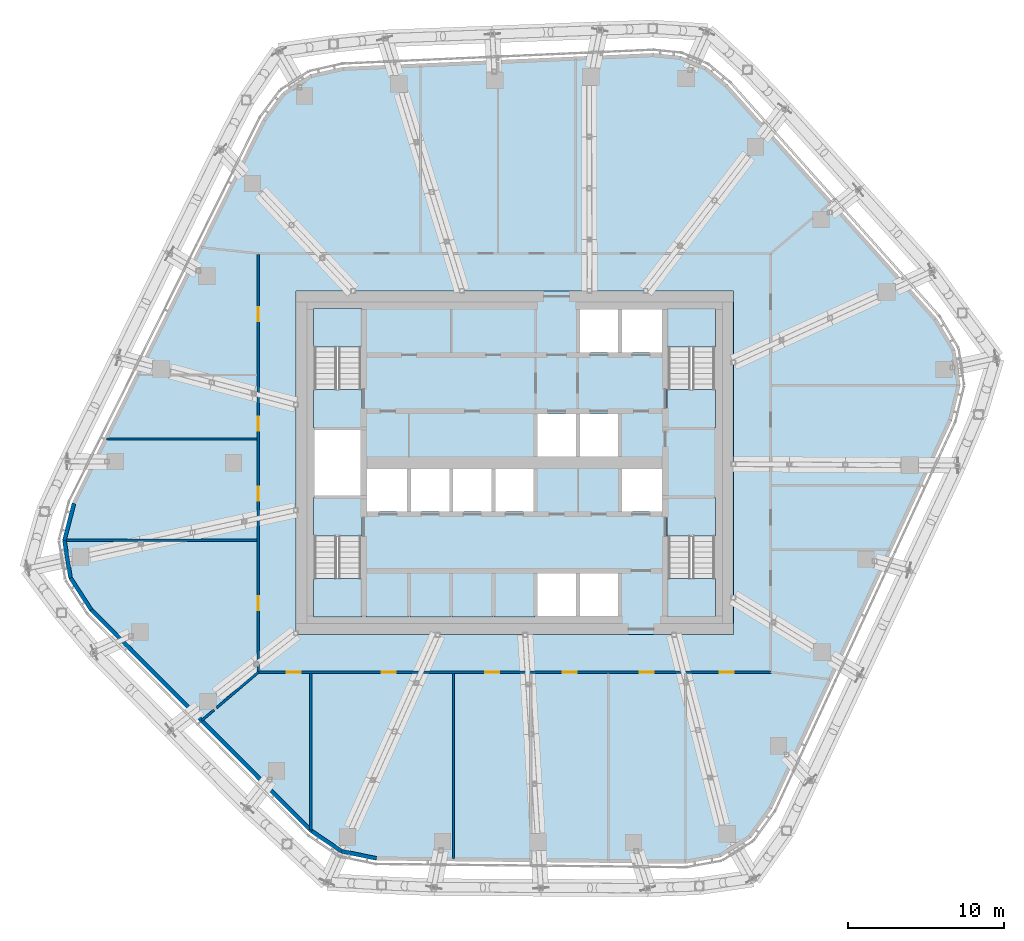
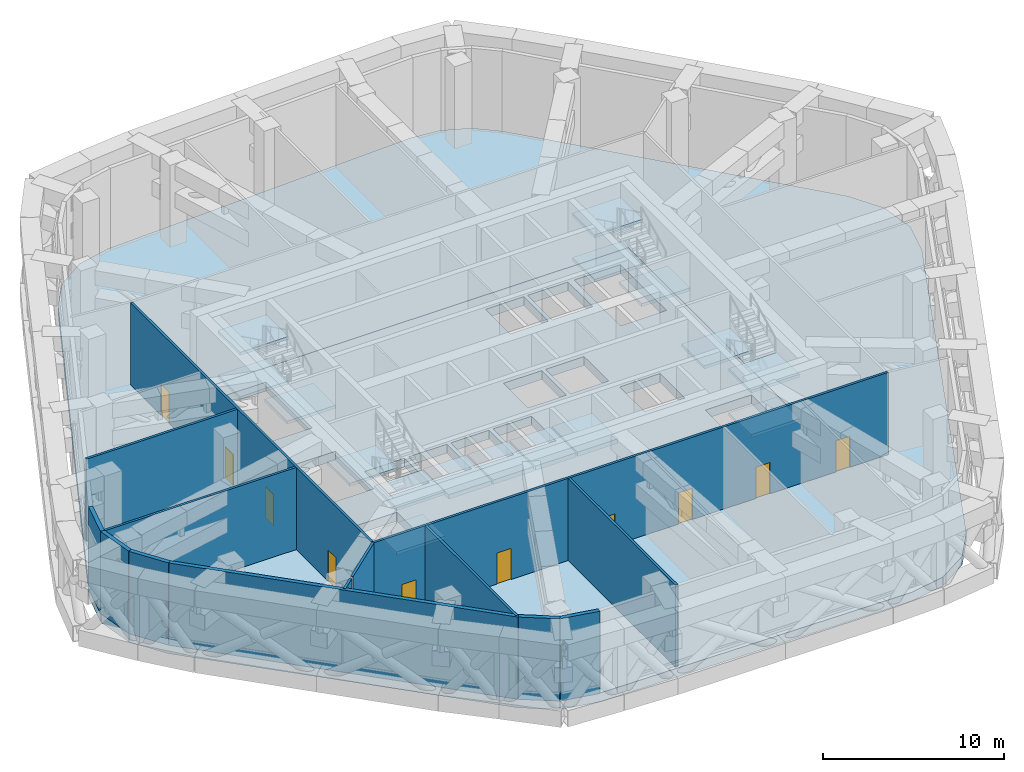
# One storey, part 15 of 31: 18 slabs, 14 walls, 10 doors, 10 openings, 4 elements without a shape of their own.
"""IFC4 building model written with IfcOpenShell, lengths in metres."""

from ifc_helpers import new_model, si_unit, direction, frame, frame_2d, origin, place, context, subcontext, project, spatial, polyline, rectangle, outline, extrude, material, layer, layer_set, type_object, element, fill, aggregate, save


model = new_model("IFC4")

# Units and contexts
model_context = context("Model", 3, precision=1e-05, world=origin(), true_north=direction((0.0, 1.0)))
body_context = subcontext(model_context, "Body", "Model", "MODEL_VIEW")
ifc_project = project(units=[si_unit("LENGTHUNIT", "METRE"), si_unit("AREAUNIT", "SQUARE_METRE"), si_unit("VOLUMEUNIT", "CUBIC_METRE"), si_unit("PLANEANGLEUNIT", "RADIAN"), si_unit("MASSUNIT", "GRAM", prefix="KILO")], contexts=[model_context])

# Site, building, storey
site_placement = place(None, origin())
site = spatial("IfcSite", under=ifc_project, at=site_placement, CompositionType="ELEMENT")
building_placement = place(site_placement, origin())
building = spatial("IfcBuilding", under=site, at=building_placement, Name="Dongbaek Canopy Tower", CompositionType="ELEMENT")
storey_placement = place(building_placement, frame((0.0, 0.0, 283.199951171875)))
storey = spatial("IfcBuildingStorey", under=building, at=storey_placement, Name="L60", CompositionType="ELEMENT", Elevation=283.199951171875)

# Slab
ifc_material_1 = material(Name="Concrete C40/50", Category="concrete")
ifc_layer_1 = layer(ifc_material_1, 0.60009765625)
ifc_layer_set_1 = layer_set([ifc_layer_1], Name="Core floor slab 600 Concrete C40/50")
slab_type_1 = type_object("IfcSlabType", Name="Core floor slab 600 Concrete C40/50", PredefinedType="FLOOR", material=ifc_layer_set_1)
slab_1_placement = place(storey_placement, frame((0.0, 0.0, -0.599853515625)))
element("IfcSlab", 1, at=slab_1_placement, inside=storey, type_object=slab_type_1, Name="Core floor slab L60", PredefinedType="FLOOR", context=body_context, shape_type="SweptSolid", body=[
    extrude(outline(polyline([(14.0, -11.0), (14.0, 11.0), (-14.0, 11.0), (-14.0, -11.0), (14.0, -11.0)]), holes=[polyline([(-12.800048828125, 2.10009765625), (-9.85009765625, 2.10009765625), (-9.85009765625, -2.10009765625), (-12.800048828125, -2.10009765625), (-12.800048828125, 2.10009765625)]), polyline([(6.625, 9.800048828125), (6.625, 7.074951171875), (4.175048828125, 7.074951171875), (4.175048828125, 9.800048828125), (6.625, 9.800048828125)]), polyline([(9.449951171875, 7.074951171875), (6.875, 7.074951171875), (6.875, 9.800048828125), (9.449951171875, 9.800048828125), (9.449951171875, 7.074951171875)]), polyline([(3.925048828125, 3.125), (3.925048828125, 0.39990234375), (1.47509765625, 0.39990234375), (1.47509765625, 3.125), (3.925048828125, 3.125)]), polyline([(4.175048828125, 3.125), (6.625, 3.125), (6.625, 0.39990234375), (4.175048828125, 0.39990234375), (4.175048828125, 3.125)]), polyline([(-9.449951171875, -0.39990234375), (-6.875, -0.39990234375), (-6.875, -3.125), (-9.449951171875, -3.125), (-9.449951171875, -0.39990234375)]), polyline([(-6.625, -0.39990234375), (-4.175048828125, -0.39990234375), (-4.175048828125, -3.125), (-6.625, -3.125), (-6.625, -0.39990234375)]), polyline([(-3.925048828125, -0.39990234375), (-1.47509765625, -0.39990234375), (-1.47509765625, -3.125), (-3.925048828125, -3.125), (-3.925048828125, -0.39990234375)]), polyline([(-1.22509765625, -0.39990234375), (1.22509765625, -0.39990234375), (1.22509765625, -3.125), (-1.22509765625, -3.125), (-1.22509765625, -0.39990234375)]), polyline([(9.449951171875, -3.125), (6.875, -3.125), (6.875, -0.39990234375), (9.449951171875, -0.39990234375), (9.449951171875, -3.125)]), polyline([(1.47509765625, -9.800048828125), (1.47509765625, -7.074951171875), (3.925048828125, -7.074951171875), (3.925048828125, -9.800048828125), (1.47509765625, -9.800048828125)]), polyline([(4.175048828125, -9.800048828125), (4.175048828125, -7.074951171875), (6.625, -7.074951171875), (6.625, -9.800048828125), (4.175048828125, -9.800048828125)]), polyline([(12.800048828125, 4.70068359375), (12.800048828125, 9.800048828125), (9.85009765625, 9.800048828125), (9.85009765625, 4.70068359375), (12.800048828125, 4.70068359375)]), polyline([(-9.85009765625, 4.70068359375), (-9.85009765625, 9.800048828125), (-12.800048828125, 9.800048828125), (-12.800048828125, 4.70068359375), (-9.85009765625, 4.70068359375)]), polyline([(9.85009765625, -4.70068359375), (9.85009765625, -9.800048828125), (12.800048828125, -9.800048828125), (12.800048828125, -4.70068359375), (9.85009765625, -4.70068359375)]), polyline([(-12.800048828125, -4.70068359375), (-12.800048828125, -9.800048828125), (-9.85009765625, -9.800048828125), (-9.85009765625, -4.70068359375), (-12.800048828125, -4.70068359375)])]), origin(), (0.0, 0.0, 1.0), 0.599853515625),
])

# Stair, slabs
ifc_material_2 = material(Name="Concrete C40/50", Category="concrete")
stair_type = type_object("IfcStairType", Name="Core exit stair", PredefinedType="HALF_TURN_STAIR", material=ifc_material_2)
stair_1_placement = place(storey_placement, origin())
stair_1 = element("IfcStair", 2, at=stair_1_placement, inside=storey, type_object=stair_type, Name="L60 exit stair A", PredefinedType="HALF_TURN_STAIR")
ifc_material_3 = material(Name="Concrete C40/50", Category="concrete")
ifc_layer_2 = layer(ifc_material_3, 0.199951171875)
ifc_layer_set_2 = layer_set([ifc_layer_2], Name="Core stair landing 200")
slab_type_2 = type_object("IfcSlabType", Name="Core stair landing 200", PredefinedType="LANDING", material=ifc_layer_set_2)
slab_2_placement = place(storey_placement, frame((0.0, 0.0, 1.300048828125)))
slab_2 = element("IfcSlab", 3, at=slab_2_placement, type_object=slab_type_2, Name="ST-A landing 1", PredefinedType="LANDING", context=body_context, shape_type="SweptSolid", body=[
    extrude(outline(polyline([(12.875, 7.419921875), (12.875, 9.875), (9.77490234375, 9.875), (9.77490234375, 7.419921875), (12.875, 7.419921875)])), origin(), (0.0, 0.0, 1.0), 0.199951171875),
])
slab_3_placement = place(storey_placement, frame((0.0, 0.0, 2.800048828125)))
slab_3 = element("IfcSlab", 4, at=slab_3_placement, type_object=slab_type_2, Name="ST-A landing 2", PredefinedType="LANDING", context=body_context, shape_type="SweptSolid", body=[
    extrude(outline(polyline([(12.875, 2.22509765625), (12.875, 4.699951171875), (9.77490234375, 4.699951171875), (9.77490234375, 2.22509765625), (12.875, 2.22509765625)])), origin(), (0.0, 0.0, 1.0), 0.199951171875),
])
slab_4_placement = place(storey_placement, frame((0.0, 0.0, 4.300048828125)))
slab_4 = element("IfcSlab", 5, at=slab_4_placement, type_object=slab_type_2, Name="ST-A landing 3", PredefinedType="LANDING", context=body_context, shape_type="SweptSolid", body=[
    extrude(outline(polyline([(12.875, 7.419921875), (12.875, 9.875), (9.77490234375, 9.875), (9.77490234375, 7.419921875), (12.875, 7.419921875)])), origin(), (0.0, 0.0, 1.0), 0.199951171875),
])
aggregate(stair_1, [slab_2, slab_3, slab_4])

stair_2_placement = place(storey_placement, origin())
stair_2 = element("IfcStair", 6, at=stair_2_placement, inside=storey, type_object=stair_type, Name="L60 exit stair C", PredefinedType="HALF_TURN_STAIR")
slab_5_placement = place(storey_placement, frame((0.0, 0.0, 1.300048828125)))
slab_5 = element("IfcSlab", 7, at=slab_5_placement, type_object=slab_type_2, Name="ST-C landing 1", PredefinedType="LANDING", context=body_context, shape_type="SweptSolid", body=[
    extrude(outline(polyline([(-9.77490234375, 7.419921875), (-9.77490234375, 9.875), (-12.875, 9.875), (-12.875, 7.419921875), (-9.77490234375, 7.419921875)])), origin(), (0.0, 0.0, 1.0), 0.199951171875),
])
slab_6_placement = place(storey_placement, frame((0.0, 0.0, 2.800048828125)))
slab_6 = element("IfcSlab", 8, at=slab_6_placement, type_object=slab_type_2, Name="ST-C landing 2", PredefinedType="LANDING", context=body_context, shape_type="SweptSolid", body=[
    extrude(outline(polyline([(-9.77490234375, 2.22509765625), (-9.77490234375, 4.699951171875), (-12.875, 4.699951171875), (-12.875, 2.22509765625), (-9.77490234375, 2.22509765625)])), origin(), (0.0, 0.0, 1.0), 0.199951171875),
])
slab_7_placement = place(storey_placement, frame((0.0, 0.0, 4.300048828125)))
slab_7 = element("IfcSlab", 9, at=slab_7_placement, type_object=slab_type_2, Name="ST-C landing 3", PredefinedType="LANDING", context=body_context, shape_type="SweptSolid", body=[
    extrude(outline(polyline([(-9.77490234375, 7.419921875), (-9.77490234375, 9.875), (-12.875, 9.875), (-12.875, 7.419921875), (-9.77490234375, 7.419921875)])), origin(), (0.0, 0.0, 1.0), 0.199951171875),
])
aggregate(stair_2, [slab_5, slab_6, slab_7])

stair_3_placement = place(storey_placement, origin())
stair_3 = element("IfcStair", 10, at=stair_3_placement, inside=storey, type_object=stair_type, Name="L60 exit stair B", PredefinedType="HALF_TURN_STAIR")
slab_8_placement = place(storey_placement, frame((0.0, 0.0, 1.300048828125)))
slab_8 = element("IfcSlab", 11, at=slab_8_placement, type_object=slab_type_2, Name="ST-B landing 1", PredefinedType="LANDING", context=body_context, shape_type="SweptSolid", body=[
    extrude(outline(polyline([(9.77490234375, -7.419921875), (9.77490234375, -9.875), (12.875, -9.875), (12.875, -7.419921875), (9.77490234375, -7.419921875)])), origin(), (0.0, 0.0, 1.0), 0.199951171875),
])
slab_9_placement = place(storey_placement, frame((0.0, 0.0, 2.800048828125)))
slab_9 = element("IfcSlab", 12, at=slab_9_placement, type_object=slab_type_2, Name="ST-B landing 2", PredefinedType="LANDING", context=body_context, shape_type="SweptSolid", body=[
    extrude(outline(polyline([(9.77490234375, -2.22509765625), (9.77490234375, -4.699951171875), (12.875, -4.699951171875), (12.875, -2.22509765625), (9.77490234375, -2.22509765625)])), origin(), (0.0, 0.0, 1.0), 0.199951171875),
])
slab_10_placement = place(storey_placement, frame((0.0, 0.0, 4.300048828125)))
slab_10 = element("IfcSlab", 13, at=slab_10_placement, type_object=slab_type_2, Name="ST-B landing 3", PredefinedType="LANDING", context=body_context, shape_type="SweptSolid", body=[
    extrude(outline(polyline([(9.77490234375, -7.419921875), (9.77490234375, -9.875), (12.875, -9.875), (12.875, -7.419921875), (9.77490234375, -7.419921875)])), origin(), (0.0, 0.0, 1.0), 0.199951171875),
])
aggregate(stair_3, [slab_8, slab_9, slab_10])

stair_4_placement = place(storey_placement, origin())
stair_4 = element("IfcStair", 14, at=stair_4_placement, inside=storey, type_object=stair_type, Name="L60 exit stair D", PredefinedType="HALF_TURN_STAIR")
slab_11_placement = place(storey_placement, frame((0.0, 0.0, 1.300048828125)))
slab_11 = element("IfcSlab", 15, at=slab_11_placement, type_object=slab_type_2, Name="ST-D landing 1", PredefinedType="LANDING", context=body_context, shape_type="SweptSolid", body=[
    extrude(outline(polyline([(-12.875, -7.419921875), (-12.875, -9.875), (-9.77490234375, -9.875), (-9.77490234375, -7.419921875), (-12.875, -7.419921875)])), origin(), (0.0, 0.0, 1.0), 0.199951171875),
])
slab_12_placement = place(storey_placement, frame((0.0, 0.0, 2.800048828125)))
slab_12 = element("IfcSlab", 16, at=slab_12_placement, type_object=slab_type_2, Name="ST-D landing 2", PredefinedType="LANDING", context=body_context, shape_type="SweptSolid", body=[
    extrude(outline(polyline([(-12.875, -2.22509765625), (-12.875, -4.699951171875), (-9.77490234375, -4.699951171875), (-9.77490234375, -2.22509765625), (-12.875, -2.22509765625)])), origin(), (0.0, 0.0, 1.0), 0.199951171875),
])
slab_13_placement = place(storey_placement, frame((0.0, 0.0, 4.300048828125)))
slab_13 = element("IfcSlab", 17, at=slab_13_placement, type_object=slab_type_2, Name="ST-D landing 3", PredefinedType="LANDING", context=body_context, shape_type="SweptSolid", body=[
    extrude(outline(polyline([(-12.875, -7.419921875), (-12.875, -9.875), (-9.77490234375, -9.875), (-9.77490234375, -7.419921875), (-12.875, -7.419921875)])), origin(), (0.0, 0.0, 1.0), 0.199951171875),
])
aggregate(stair_4, [slab_11, slab_12, slab_13])

# Slabs
ifc_material_4 = material(Name="Concrete C40/50", Category="concrete")
ifc_layer_3 = layer(ifc_material_4, 0.300048828125)
ifc_layer_set_3 = layer_set([ifc_layer_3], Name="Lift pit slab 300 Concrete C40/50")
slab_type_3 = type_object("IfcSlabType", Name="Lift pit slab 300 Concrete C40/50", PredefinedType="BASESLAB", material=ifc_layer_set_3)
slab_14_placement = place(storey_placement, frame((0.0, 0.0, 3.900146484375)))
element("IfcSlab", 18, at=slab_14_placement, inside=storey, type_object=slab_type_3, Name="Lift HR1 pit slab", PredefinedType="BASESLAB", context=body_context, shape_type="SweptSolid", body=[
    extrude(outline(polyline([(-9.52490234375, -7.0), (-6.800048828125, -7.0), (-6.800048828125, -9.875), (-9.52490234375, -9.875), (-9.52490234375, -7.0)])), origin(), (0.0, 0.0, 1.0), 0.2998046875),
])
slab_15_placement = place(storey_placement, frame((0.0, 0.0, 3.900146484375)))
element("IfcSlab", 19, at=slab_15_placement, inside=storey, type_object=slab_type_3, Name="Lift HR2 pit slab", PredefinedType="BASESLAB", context=body_context, shape_type="SweptSolid", body=[
    extrude(outline(polyline([(-6.699951171875, -9.875), (-6.699951171875, -7.0), (-4.10009765625, -7.0), (-4.10009765625, -9.875), (-6.699951171875, -9.875)])), origin(), (0.0, 0.0, 1.0), 0.2998046875),
])
slab_16_placement = place(storey_placement, frame((0.0, 0.0, 3.900146484375)))
element("IfcSlab", 20, at=slab_16_placement, inside=storey, type_object=slab_type_3, Name="Lift HR3 pit slab", PredefinedType="BASESLAB", context=body_context, shape_type="SweptSolid", body=[
    extrude(outline(polyline([(-4.0, -9.875), (-4.0, -7.0), (-1.39990234375, -7.0), (-1.39990234375, -9.875), (-4.0, -9.875)])), origin(), (0.0, 0.0, 1.0), 0.2998046875),
])
slab_17_placement = place(storey_placement, frame((0.0, 0.0, 3.900146484375)))
element("IfcSlab", 21, at=slab_17_placement, inside=storey, type_object=slab_type_3, Name="Lift HR4 pit slab", PredefinedType="BASESLAB", context=body_context, shape_type="SweptSolid", body=[
    extrude(outline(polyline([(-1.300048828125, -9.875), (-1.300048828125, -7.0), (1.300048828125, -7.0), (1.300048828125, -9.875), (-1.300048828125, -9.875)])), origin(), (0.0, 0.0, 1.0), 0.2998046875),
])
ifc_material_5 = material(Name="Concrete C40", Category="concrete")
ifc_layer_4 = layer(ifc_material_5, 0.60009765625)
ifc_layer_set_4 = layer_set([ifc_layer_4], Name="RC PLANT FLOOR SLAB 600 Concrete C40")
slab_type_4 = type_object("IfcSlabType", Name="RC PLANT FLOOR SLAB 600 Concrete C40", PredefinedType="FLOOR", material=ifc_layer_set_4)
slab_18_placement = place(storey_placement, frame((0.0, 0.0, -0.599853515625)))
element("IfcSlab", 22, at=slab_18_placement, inside=storey, type_object=slab_type_4, Name="SLAB:L60", PredefinedType="FLOOR", context=body_context, shape_type="SweptSolid", body=[
    extrude(outline(polyline([(16.452880859375, -22.156005859375), (15.1181640625, -24.005615234375), (13.189697265625, -25.2236328125), (10.94580078125, -25.6337890625), (-8.854248046875, -25.4267578125), (-11.121826171875, -24.9560546875), (-13.0419921875, -23.66162109375), (-27.17822265625, -9.47216796875), (-28.5244140625, -7.3994140625), (-28.921142578125, -4.960205078125), (-28.30078125, -2.56787109375), (-16.0986328125, 21.99072265625), (-14.835205078125, 23.6923828125), (-13.05908203125, 24.8486328125), (-10.991943359375, 25.315185546875), (8.878662109375, 26.198486328125), (10.6337890625, 26.016845703125), (12.26025390625, 25.33251953125), (13.6171875, 24.20458984375), (27.002197265625, 9.239990234375), (28.182861328125, 7.25146484375), (28.523681640625, 4.96435546875), (27.974365234375, 2.718017578125), (16.452880859375, -22.156005859375)]), holes=[polyline([(14.0, 11.0), (-14.0, 11.0), (-14.0, -11.0), (14.0, -11.0), (14.0, 11.0)])]), origin(), (0.0, 0.0, 1.0), 0.599853515625),
])

# Wall, openings, doors
ifc_material_6 = material(Name="Gypsum board partition, steel stud, 2 x 15 mm fire board", Category="steel")
ifc_layer_5 = layer(ifc_material_6, 0.14990234375)
ifc_layer_set_5 = layer_set([ifc_layer_5], Name="Fire-rated partition 150 gypsum board")
wall_type_1 = type_object("IfcWallType", Name="Fire-rated partition 150 gypsum board", PredefinedType="PARTITIONING", material=ifc_layer_set_5)
wall_1_placement = place(storey_placement, frame((16.47509765625, -13.39990234375, 0.0), z_axis=(0.0, 0.0, 1.0), x_axis=(-1.0, 0.0, 0.0)))
wall_1 = element("IfcWall", 23, at=wall_1_placement, inside=storey, type_object=wall_type_1, Name="Corridor partition", PredefinedType="PARTITIONING", context=body_context, shape_type="SweptSolid", body=[
    extrude(rectangle(XDim=32.9501953125, YDim=0.14990234375, at=frame_2d((16.47509765625, 0.0))), origin(), (0.0, 0.0, 1.0), 5.550048828125),
])
opening_1_placement = place(wall_1_placement, frame((30.15869140625, 0.0, 0.0)))
opening_1 = element("IfcOpeningElement", 24, at=opening_1_placement, cuts=wall_1, Name="Opening L60-D003", PredefinedType="OPENING", context=body_context, shape_type="SweptSolid", body=[
    extrude(rectangle(XDim=0.89990234375, YDim=2.10009765625, at=frame_2d((0.449951171875, 1.050048828125))), frame((0.0, 0.0849609375, 0.0), z_axis=(0.0, -1.0, 0.0), x_axis=(1.0, 0.0, 0.0)), (0.0, 0.0, 1.0), 0.169921875),
])
opening_2_placement = place(wall_1_placement, frame((24.090576171875, 0.0, 0.0)))
opening_2 = element("IfcOpeningElement", 25, at=opening_2_placement, cuts=wall_1, Name="Opening L60-D004", PredefinedType="OPENING", context=body_context, shape_type="SweptSolid", body=[
    extrude(rectangle(XDim=0.89990234375, YDim=2.10009765625, at=frame_2d((0.449951171875, 1.050048828125))), frame((0.0, 0.0849609375, 0.0), z_axis=(0.0, -1.0, 0.0), x_axis=(1.0, 0.0, 0.0)), (0.0, 0.0, 1.0), 0.169921875),
])
opening_3_placement = place(wall_1_placement, frame((17.4541015625, 0.0, 0.0)))
opening_3 = element("IfcOpeningElement", 26, at=opening_3_placement, cuts=wall_1, Name="Opening L60-D005", PredefinedType="OPENING", context=body_context, shape_type="SweptSolid", body=[
    extrude(rectangle(XDim=0.89990234375, YDim=2.10009765625, at=frame_2d((0.449951171875, 1.050048828125))), frame((0.0, 0.0849609375, 0.0), z_axis=(0.0, -1.0, 0.0), x_axis=(1.0, 0.0, 0.0)), (0.0, 0.0, 1.0), 0.169921875),
])
opening_4_placement = place(wall_1_placement, frame((12.504150390625, 0.0, 0.0)))
opening_4 = element("IfcOpeningElement", 27, at=opening_4_placement, cuts=wall_1, Name="Opening L60-D006", PredefinedType="OPENING", context=body_context, shape_type="SweptSolid", body=[
    extrude(rectangle(XDim=0.89990234375, YDim=2.10009765625, at=frame_2d((0.449951171875, 1.050048828125))), frame((0.0, 0.0849609375, 0.0), z_axis=(0.0, -1.0, 0.0), x_axis=(1.0, 0.0, 0.0)), (0.0, 0.0, 1.0), 0.169921875),
])
opening_5_placement = place(wall_1_placement, frame((7.55419921875, 0.0, 0.0)))
opening_5 = element("IfcOpeningElement", 28, at=opening_5_placement, cuts=wall_1, Name="Opening L60-D007", PredefinedType="OPENING", context=body_context, shape_type="SweptSolid", body=[
    extrude(rectangle(XDim=0.89990234375, YDim=2.10009765625, at=frame_2d((0.449951171875, 1.050048828125))), frame((0.0, 0.0849609375, 0.0), z_axis=(0.0, -1.0, 0.0), x_axis=(1.0, 0.0, 0.0)), (0.0, 0.0, 1.0), 0.169921875),
])
opening_6_placement = place(wall_1_placement, frame((2.4384765625, 0.0, 0.0)))
opening_6 = element("IfcOpeningElement", 29, at=opening_6_placement, cuts=wall_1, Name="Opening L60-D008", PredefinedType="OPENING", context=body_context, shape_type="SweptSolid", body=[
    extrude(rectangle(XDim=0.89990234375, YDim=2.10009765625, at=frame_2d((0.449951171875, 1.050048828125))), frame((0.0, 0.0849609375, 0.0), z_axis=(0.0, -1.0, 0.0), x_axis=(1.0, 0.0, 0.0)), (0.0, 0.0, 1.0), 0.169921875),
])
ifc_material_7 = material(Name="Timber veneered door leaf", Category="wood")
door_type = type_object("IfcDoorType", Name="Room door 900 x 2100", OperationType="SINGLE_SWING_LEFT", PredefinedType="DOOR", material=ifc_material_7)
door_1_placement = place(opening_1_placement, origin())
door_1 = element("IfcDoor", 30, at=door_1_placement, inside=storey, type_object=door_type, Name="Door L60-D003", OperationType="SINGLE_SWING_RIGHT", OverallHeight=2.10009765625, OverallWidth=0.89990234375, PredefinedType="DOOR", context=body_context, shape_type="SweptSolid", body=[
    extrude(rectangle(XDim=0.89990234375, YDim=2.10009765625, at=frame_2d((0.449951171875, 1.050048828125))), frame((0.0, 0.02490234375, 0.0), z_axis=(0.0, -1.0, 0.0), x_axis=(1.0, 0.0, 0.0)), (0.0, 0.0, 1.0), 0.050048828125),
])
fill(opening_1, door_1)
door_2_placement = place(opening_2_placement, origin())
door_2 = element("IfcDoor", 31, at=door_2_placement, inside=storey, type_object=door_type, Name="Door L60-D004", OperationType="SINGLE_SWING_LEFT", OverallHeight=2.10009765625, OverallWidth=0.89990234375, PredefinedType="DOOR", context=body_context, shape_type="SweptSolid", body=[
    extrude(rectangle(XDim=0.89990234375, YDim=2.10009765625, at=frame_2d((0.449951171875, 1.050048828125))), frame((0.0, 0.02490234375, 0.0), z_axis=(0.0, -1.0, 0.0), x_axis=(1.0, 0.0, 0.0)), (0.0, 0.0, 1.0), 0.050048828125),
])
fill(opening_2, door_2)
door_3_placement = place(opening_3_placement, origin())
door_3 = element("IfcDoor", 32, at=door_3_placement, inside=storey, type_object=door_type, Name="Door L60-D005", OperationType="SINGLE_SWING_RIGHT", OverallHeight=2.10009765625, OverallWidth=0.89990234375, PredefinedType="DOOR", context=body_context, shape_type="SweptSolid", body=[
    extrude(rectangle(XDim=0.89990234375, YDim=2.10009765625, at=frame_2d((0.449951171875, 1.050048828125))), frame((0.0, 0.02490234375, 0.0), z_axis=(0.0, -1.0, 0.0), x_axis=(1.0, 0.0, 0.0)), (0.0, 0.0, 1.0), 0.050048828125),
])
fill(opening_3, door_3)
door_4_placement = place(opening_4_placement, origin())
door_4 = element("IfcDoor", 33, at=door_4_placement, inside=storey, type_object=door_type, Name="Door L60-D006", OperationType="SINGLE_SWING_LEFT", OverallHeight=2.10009765625, OverallWidth=0.89990234375, PredefinedType="DOOR", context=body_context, shape_type="SweptSolid", body=[
    extrude(rectangle(XDim=0.89990234375, YDim=2.10009765625, at=frame_2d((0.449951171875, 1.050048828125))), frame((0.0, 0.02490234375, 0.0), z_axis=(0.0, -1.0, 0.0), x_axis=(1.0, 0.0, 0.0)), (0.0, 0.0, 1.0), 0.050048828125),
])
fill(opening_4, door_4)
door_5_placement = place(opening_5_placement, origin())
door_5 = element("IfcDoor", 34, at=door_5_placement, inside=storey, type_object=door_type, Name="Door L60-D007", OperationType="SINGLE_SWING_RIGHT", OverallHeight=2.10009765625, OverallWidth=0.89990234375, PredefinedType="DOOR", context=body_context, shape_type="SweptSolid", body=[
    extrude(rectangle(XDim=0.89990234375, YDim=2.10009765625, at=frame_2d((0.449951171875, 1.050048828125))), frame((0.0, 0.02490234375, 0.0), z_axis=(0.0, -1.0, 0.0), x_axis=(1.0, 0.0, 0.0)), (0.0, 0.0, 1.0), 0.050048828125),
])
fill(opening_5, door_5)
door_6_placement = place(opening_6_placement, origin())
door_6 = element("IfcDoor", 35, at=door_6_placement, inside=storey, type_object=door_type, Name="Door L60-D008", OperationType="SINGLE_SWING_LEFT", OverallHeight=2.10009765625, OverallWidth=0.89990234375, PredefinedType="DOOR", context=body_context, shape_type="SweptSolid", body=[
    extrude(rectangle(XDim=0.89990234375, YDim=2.10009765625, at=frame_2d((0.449951171875, 1.050048828125))), frame((0.0, 0.02490234375, 0.0), z_axis=(0.0, -1.0, 0.0), x_axis=(1.0, 0.0, 0.0)), (0.0, 0.0, 1.0), 0.050048828125),
])
fill(opening_6, door_6)

# Walls
wall_2_placement = place(storey_placement, frame((-28.797119140625, -4.9599609375, 0.0), z_axis=(0.0, 0.0, 1.0), x_axis=(1.0, 0.0, 0.0)))
element("IfcWall", 36, at=wall_2_placement, inside=storey, type_object=wall_type_1, Name="Corridor partition", PredefinedType="PARTITIONING", context=body_context, shape_type="SweptSolid", body=[
    extrude(rectangle(XDim=12.322021484375, YDim=0.14990234375, at=frame_2d((6.1611328125, 0.0))), origin(), (0.0, 0.0, 1.0), 5.550048828125),
])
wall_3_placement = place(storey_placement, frame((-26.133056640625, 1.52490234375, 0.0), z_axis=(0.0, 0.0, 1.0), x_axis=(1.0, 0.0, 0.0)))
element("IfcWall", 37, at=wall_3_placement, inside=storey, type_object=wall_type_1, Name="Corridor partition", PredefinedType="PARTITIONING", context=body_context, shape_type="SweptSolid", body=[
    extrude(rectangle(XDim=9.657958984375, YDim=0.14990234375, at=frame_2d((4.8291015625, 0.0))), origin(), (0.0, 0.0, 1.0), 5.550048828125),
])
wall_4_placement = place(storey_placement, frame((-20.018798828125, -16.48876953125, 0.0), z_axis=(0.0, 0.0, 1.0), x_axis=(0.760647520032, 0.649165117877, 0.0)))
element("IfcWall", 38, at=wall_4_placement, inside=storey, type_object=wall_type_1, Name="Corridor partition", PredefinedType="PARTITIONING", context=body_context, shape_type="SweptSolid", body=[
    extrude(rectangle(XDim=1.027099609375, YDim=0.14990234375, at=frame_2d((0.513671875, 0.0))), origin(), (0.0, 0.0, 1.0), 5.550048828125),
])
wall_5_placement = place(storey_placement, frame((-19.072021484375, -15.6806640625, 0.0), z_axis=(0.0, 0.0, 1.0), x_axis=(0.760643176825, 0.649170206918, 0.0)))
element("IfcWall", 39, at=wall_5_placement, inside=storey, type_object=wall_type_1, Name="Corridor partition", PredefinedType="PARTITIONING", context=body_context, shape_type="SweptSolid", body=[
    extrude(rectangle(XDim=3.512939453125, YDim=0.14990234375, at=frame_2d((1.75634765625, 0.0))), origin(), (0.0, 0.0, 1.0), 5.550048828125),
])
wall_6_placement = place(storey_placement, frame((-3.904052734375, -25.3583984375, 0.0), z_axis=(0.0, 0.0, 1.0), x_axis=(0.0, 1.0, 0.0)))
element("IfcWall", 40, at=wall_6_placement, inside=storey, type_object=wall_type_1, Name="Corridor partition", PredefinedType="PARTITIONING", context=body_context, shape_type="SweptSolid", body=[
    extrude(rectangle(XDim=11.88330078125, YDim=0.14990234375, at=frame_2d((5.941650390625, 0.0))), origin(), (0.0, 0.0, 1.0), 5.550048828125),
])
wall_7_placement = place(storey_placement, frame((-13.0419921875, -23.49169921875, 0.0), z_axis=(0.0, 0.0, 1.0), x_axis=(0.0, 1.0, 0.0)))
element("IfcWall", 41, at=wall_7_placement, inside=storey, type_object=wall_type_1, Name="Corridor partition", PredefinedType="PARTITIONING", context=body_context, shape_type="SweptSolid", body=[
    extrude(rectangle(XDim=10.0166015625, YDim=0.14990234375, at=frame_2d((5.00830078125, 0.0))), origin(), (0.0, 0.0, 1.0), 5.550048828125),
])

# Wall, openings, doors
wall_8_placement = place(storey_placement, frame((-16.39990234375, -13.324951171875, 0.0), z_axis=(0.0, 0.0, 1.0), x_axis=(0.0, 1.0, 0.0)))
wall_8 = element("IfcWall", 42, at=wall_8_placement, inside=storey, type_object=wall_type_1, Name="Corridor partition", PredefinedType="PARTITIONING", context=body_context, shape_type="SweptSolid", body=[
    extrude(rectangle(XDim=26.64990234375, YDim=0.14990234375, at=frame_2d((13.324951171875, 0.0))), origin(), (0.0, 0.0, 1.0), 5.550048828125),
])
opening_7_placement = place(wall_8_placement, frame((10.9033203125, 0.0, 0.0)))
opening_7 = element("IfcOpeningElement", 43, at=opening_7_placement, cuts=wall_8, Name="Opening L60-D001", PredefinedType="OPENING", context=body_context, shape_type="SweptSolid", body=[
    extrude(rectangle(XDim=0.89990234375, YDim=2.10009765625, at=frame_2d((0.449951171875, 1.050048828125))), frame((0.0, 0.0849609375, 0.0), z_axis=(0.0, -1.0, 0.0), x_axis=(1.0, 0.0, 0.0)), (0.0, 0.0, 1.0), 0.169921875),
])
opening_8_placement = place(wall_8_placement, frame((3.88525390625, 0.0, 0.0)))
opening_8 = element("IfcOpeningElement", 44, at=opening_8_placement, cuts=wall_8, Name="Opening L60-D002", PredefinedType="OPENING", context=body_context, shape_type="SweptSolid", body=[
    extrude(rectangle(XDim=0.89990234375, YDim=2.10009765625, at=frame_2d((0.449951171875, 1.050048828125))), frame((0.0, 0.0849609375, 0.0), z_axis=(0.0, -1.0, 0.0), x_axis=(1.0, 0.0, 0.0)), (0.0, 0.0, 1.0), 0.169921875),
])
opening_9_placement = place(wall_8_placement, frame((22.38427734375, 0.0, 0.0)))
opening_9 = element("IfcOpeningElement", 45, at=opening_9_placement, cuts=wall_8, Name="Opening L60-D017", PredefinedType="OPENING", context=body_context, shape_type="SweptSolid", body=[
    extrude(rectangle(XDim=0.89990234375, YDim=2.10009765625, at=frame_2d((0.449951171875, 1.050048828125))), frame((0.0, 0.0849609375, 0.0), z_axis=(0.0, -1.0, 0.0), x_axis=(1.0, 0.0, 0.0)), (0.0, 0.0, 1.0), 0.169921875),
])
opening_10_placement = place(wall_8_placement, frame((15.36962890625, 0.0, 0.0)))
opening_10 = element("IfcOpeningElement", 46, at=opening_10_placement, cuts=wall_8, Name="Opening L60-D018", PredefinedType="OPENING", context=body_context, shape_type="SweptSolid", body=[
    extrude(rectangle(XDim=0.89990234375, YDim=2.10009765625, at=frame_2d((0.449951171875, 1.050048828125))), frame((0.0, 0.0849609375, 0.0), z_axis=(0.0, -1.0, 0.0), x_axis=(1.0, 0.0, 0.0)), (0.0, 0.0, 1.0), 0.169921875),
])
door_7_placement = place(opening_7_placement, origin())
door_7 = element("IfcDoor", 47, at=door_7_placement, inside=storey, type_object=door_type, Name="Door L60-D001", OperationType="SINGLE_SWING_RIGHT", OverallHeight=2.10009765625, OverallWidth=0.89990234375, PredefinedType="DOOR", context=body_context, shape_type="SweptSolid", body=[
    extrude(rectangle(XDim=0.89990234375, YDim=2.10009765625, at=frame_2d((0.449951171875, 1.050048828125))), frame((0.0, 0.02490234375, 0.0), z_axis=(0.0, -1.0, 0.0), x_axis=(1.0, 0.0, 0.0)), (0.0, 0.0, 1.0), 0.050048828125),
])
fill(opening_7, door_7)
door_8_placement = place(opening_8_placement, origin())
door_8 = element("IfcDoor", 48, at=door_8_placement, inside=storey, type_object=door_type, Name="Door L60-D002", OperationType="SINGLE_SWING_LEFT", OverallHeight=2.10009765625, OverallWidth=0.89990234375, PredefinedType="DOOR", context=body_context, shape_type="SweptSolid", body=[
    extrude(rectangle(XDim=0.89990234375, YDim=2.10009765625, at=frame_2d((0.449951171875, 1.050048828125))), frame((0.0, 0.02490234375, 0.0), z_axis=(0.0, -1.0, 0.0), x_axis=(1.0, 0.0, 0.0)), (0.0, 0.0, 1.0), 0.050048828125),
])
fill(opening_8, door_8)
door_9_placement = place(opening_9_placement, origin())
door_9 = element("IfcDoor", 49, at=door_9_placement, inside=storey, type_object=door_type, Name="Door L60-D017", OperationType="SINGLE_SWING_RIGHT", OverallHeight=2.10009765625, OverallWidth=0.89990234375, PredefinedType="DOOR", context=body_context, shape_type="SweptSolid", body=[
    extrude(rectangle(XDim=0.89990234375, YDim=2.10009765625, at=frame_2d((0.449951171875, 1.050048828125))), frame((0.0, 0.02490234375, 0.0), z_axis=(0.0, -1.0, 0.0), x_axis=(1.0, 0.0, 0.0)), (0.0, 0.0, 1.0), 0.050048828125),
])
fill(opening_9, door_9)
door_10_placement = place(opening_10_placement, origin())
door_10 = element("IfcDoor", 50, at=door_10_placement, inside=storey, type_object=door_type, Name="Door L60-D018", OperationType="SINGLE_SWING_LEFT", OverallHeight=2.10009765625, OverallWidth=0.89990234375, PredefinedType="DOOR", context=body_context, shape_type="SweptSolid", body=[
    extrude(rectangle(XDim=0.89990234375, YDim=2.10009765625, at=frame_2d((0.449951171875, 1.050048828125))), frame((0.0, 0.02490234375, 0.0), z_axis=(0.0, -1.0, 0.0), x_axis=(1.0, 0.0, 0.0)), (0.0, 0.0, 1.0), 0.050048828125),
])
fill(opening_10, door_10)

# Walls
ifc_material_8 = material(Name="Pale metal cladding on insulated wall")
ifc_layer_6 = layer(ifc_material_8, 0.25)
ifc_layer_set_6 = layer_set([ifc_layer_6], Name="Plant floor wall 250")
wall_type_2 = type_object("IfcWallType", Name="Plant floor wall 250", PredefinedType="SOLIDWALL", material=ifc_layer_set_6)
wall_9_placement = place(storey_placement, frame((-28.20654296875, -2.60302734375, 0.0), z_axis=(0.0, 0.0, 1.0), x_axis=(-0.251048970214, -0.967974387344, 0.0)))
element("IfcWall", 51, at=wall_9_placement, inside=storey, type_object=wall_type_2, Name="Plant wall L60 K3 1", PredefinedType="SOLIDWALL", context=body_context, shape_type="SweptSolid", body=[
    extrude(rectangle(XDim=2.43994140625, YDim=0.25, at=frame_2d((1.219970703125, 0.0))), origin(), (0.0, 0.0, 1.0), 5.550048828125),
])
wall_10_placement = place(storey_placement, frame((-28.819091796875, -4.96484375, 0.0), z_axis=(0.0, 0.0, 1.0), x_axis=(0.160486632868, -0.987038013792, 0.0)))
element("IfcWall", 52, at=wall_10_placement, inside=storey, type_object=wall_type_2, Name="Plant wall L60 K3 2", PredefinedType="SOLIDWALL", context=body_context, shape_type="SweptSolid", body=[
    extrude(rectangle(XDim=2.429443359375, YDim=0.25, at=frame_2d((1.21484375, 0.0))), origin(), (0.0, 0.0, 1.0), 5.550048828125),
])
wall_11_placement = place(storey_placement, frame((-28.42919921875, -7.36279296875, 0.0), z_axis=(0.0, 0.0, 1.0), x_axis=(0.544731578252, -0.838610462405, 0.0)))
element("IfcWall", 53, at=wall_11_placement, inside=storey, type_object=wall_type_2, Name="Plant wall L60 K3 3", PredefinedType="SOLIDWALL", context=body_context, shape_type="SweptSolid", body=[
    extrude(rectangle(XDim=2.43994140625, YDim=0.25, at=frame_2d((1.219970703125, 0.0))), origin(), (0.0, 0.0, 1.0), 5.550048828125),
])
wall_12_placement = place(storey_placement, frame((-27.10009765625, -9.408935546875, 0.0), z_axis=(0.0, 0.0, 1.0), x_axis=(0.705769458317, -0.7084415796, 0.0)))
element("IfcWall", 54, at=wall_12_placement, inside=storey, type_object=wall_type_2, Name="Plant wall L60 F3 1", PredefinedType="SOLIDWALL", context=body_context, shape_type="SweptSolid", body=[
    extrude(rectangle(XDim=20.009033203125, YDim=0.25, at=frame_2d((10.00439453125, 0.0))), origin(), (0.0, 0.0, 1.0), 5.550048828125),
])
wall_13_placement = place(storey_placement, frame((-12.978271484375, -23.584228515625, 0.0), z_axis=(0.0, 0.0, 1.0), x_axis=(0.829197575918, -0.558955615494, 0.0)))
element("IfcWall", 55, at=wall_13_placement, inside=storey, type_object=wall_type_2, Name="Plant wall L60 K4 1", PredefinedType="SOLIDWALL", context=body_context, shape_type="SweptSolid", body=[
    extrude(rectangle(XDim=2.28662109375, YDim=0.25, at=frame_2d((1.143310546875, 0.0))), origin(), (0.0, 0.0, 1.0), 5.550048828125),
])
wall_14_placement = place(storey_placement, frame((-11.082275390625, -24.8623046875, 0.0), z_axis=(0.0, 0.0, 1.0), x_axis=(0.979138246768, -0.203195210861, 0.0)))
element("IfcWall", 56, at=wall_14_placement, inside=storey, type_object=wall_type_2, Name="Plant wall L60 K4 2", PredefinedType="SOLIDWALL", context=body_context, shape_type="SweptSolid", body=[
    extrude(rectangle(XDim=2.286376953125, YDim=0.25, at=frame_2d((1.14306640625, 0.0))), origin(), (0.0, 0.0, 1.0), 5.550048828125),
])

save(model, "model.ifc")
